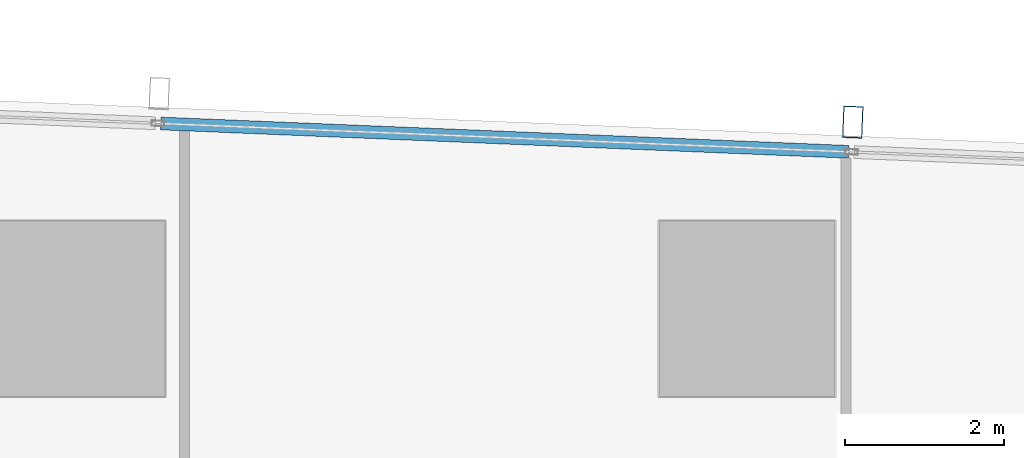
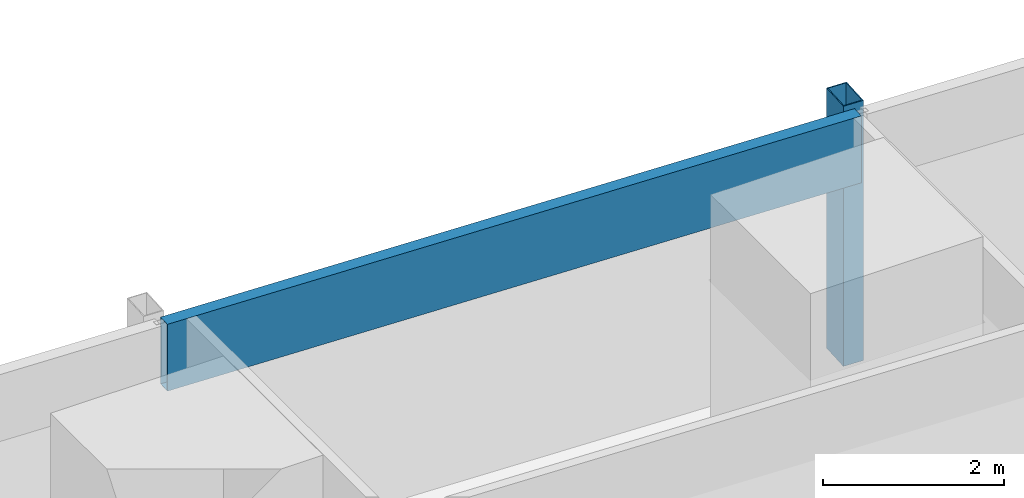
# One storey, part 24 of 45: 2 members, 1 element without a shape of its own.
"""IFC4 building model written with IfcOpenShell, lengths in metres."""

from ifc_helpers import new_model, si_unit, direction, frame, origin, origin_2d, place, context, subcontext, project, spatial, hollow_rectangle, extrude, material, material_profile, profile_set, type_object, element, aggregate, save


model = new_model("IFC4")

# Units and contexts
model_context = context("Model", 3, precision=1e-05, world=origin(), true_north=direction((0.0, 1.0)))
body_context = subcontext(model_context, "Body", "Model", "MODEL_VIEW")
ifc_project = project(units=[si_unit("LENGTHUNIT", "METRE"), si_unit("AREAUNIT", "SQUARE_METRE"), si_unit("VOLUMEUNIT", "CUBIC_METRE"), si_unit("PLANEANGLEUNIT", "RADIAN"), si_unit("MASSUNIT", "GRAM", prefix="KILO")], contexts=[model_context])

# Site, building, storey
site_placement = place(None, origin())
site = spatial("IfcSite", under=ifc_project, at=site_placement, CompositionType="ELEMENT")
building_placement = place(site_placement, origin())
building = spatial("IfcBuilding", under=site, at=building_placement, Name="Rekha Terrace Tower", CompositionType="ELEMENT")
storey_placement = place(building_placement, frame((0.0, 0.0, 36.64990234375)))
storey = spatial("IfcBuildingStorey", under=building, at=storey_placement, Name="L08", CompositionType="ELEMENT", Elevation=36.64990234375)

# Curtain wall, members
ifc_material_1 = material(Name="Aluminium framing", Category="aluminium")
curtain_wall_type = type_object("IfcCurtainWallType", Name="CW3 north unitised glazing", PredefinedType="USERDEFINED", material=ifc_material_1)
curtain_wall_placement = place(storey_placement, origin())
curtain_wall = element("IfcCurtainWall", 1, at=curtain_wall_placement, inside=storey, type_object=curtain_wall_type, Name="CW3 unitised curtain wall", ObjectType="UNITISED CURTAIN WALL", PredefinedType="USERDEFINED")
ifc_material_2 = material(Name="Steel S355 with fluorocarbon finish", Category="steel")
ifc_material_profile_1 = material_profile(ifc_material_2, hollow_rectangle(XDim=0.25, YDim=0.39990234375, WallThickness=0.012451171875, at=origin_2d()), Name="RHS400x250x12.5")
ifc_profile_set_1 = profile_set([ifc_material_profile_1], Name="Steel S355 with fluorocarbon finish")
member_type_1 = type_object("IfcMemberType", Name="BL1 facade blade RHS 400 x 250", PredefinedType="USERDEFINED", material=ifc_profile_set_1)
member_1_placement = place(storey_placement, frame((60.126953125, 61.140869140625, 0.0), z_axis=(0.0, 0.0, 1.0), x_axis=(-0.99915196507, 0.041174636562, 0.0)))
member_1 = element("IfcMember", 2, at=member_1_placement, type_object=member_type_1, Name="Facade blade", ObjectType="FACADE BLADE", PredefinedType="USERDEFINED", context=body_context, shape_type="SweptSolid", body=[
    extrude(hollow_rectangle(XDim=0.25, YDim=0.39990234375, WallThickness=0.012451171875, at=origin_2d()), origin(), (0.0, 0.0, 1.0), 3.5),
])
ifc_material_3 = material(Name="Insulated aluminium spandrel box", Category="aluminium")
ifc_material_profile_2 = material_profile(ifc_material_3, hollow_rectangle(XDim=0.159912109375, YDim=0.89990234375, WallThickness=0.0029296875, at=origin_2d()), Name="AL SPANDREL BOX 160x900")
ifc_profile_set_2 = profile_set([ifc_material_profile_2], Name="Insulated aluminium spandrel box")
member_type_2 = type_object("IfcMemberType", Name="CW3 spandrel transom 160 x 900", PredefinedType="USERDEFINED", material=ifc_profile_set_2)
member_2_placement = place(storey_placement, frame((60.07666015625, 60.767578125, 3.050048828125), z_axis=(-0.999152128669, 0.041170666459, 0.0), x_axis=(-0.041170666459, -0.999152128669, 0.0)))
member_2 = element("IfcMember", 3, at=member_2_placement, type_object=member_type_2, Name="CW3 spandrel transom 2", ObjectType="TRANSOM", PredefinedType="USERDEFINED", context=body_context, shape_type="SweptSolid", body=[
    extrude(hollow_rectangle(XDim=0.159912109375, YDim=0.89990234375, WallThickness=0.0029296875, at=origin_2d()), origin(), (0.0, 0.0, 1.0), 8.634033203125),
])
aggregate(curtain_wall, [member_2, member_1])

save(model, "model.ifc")
